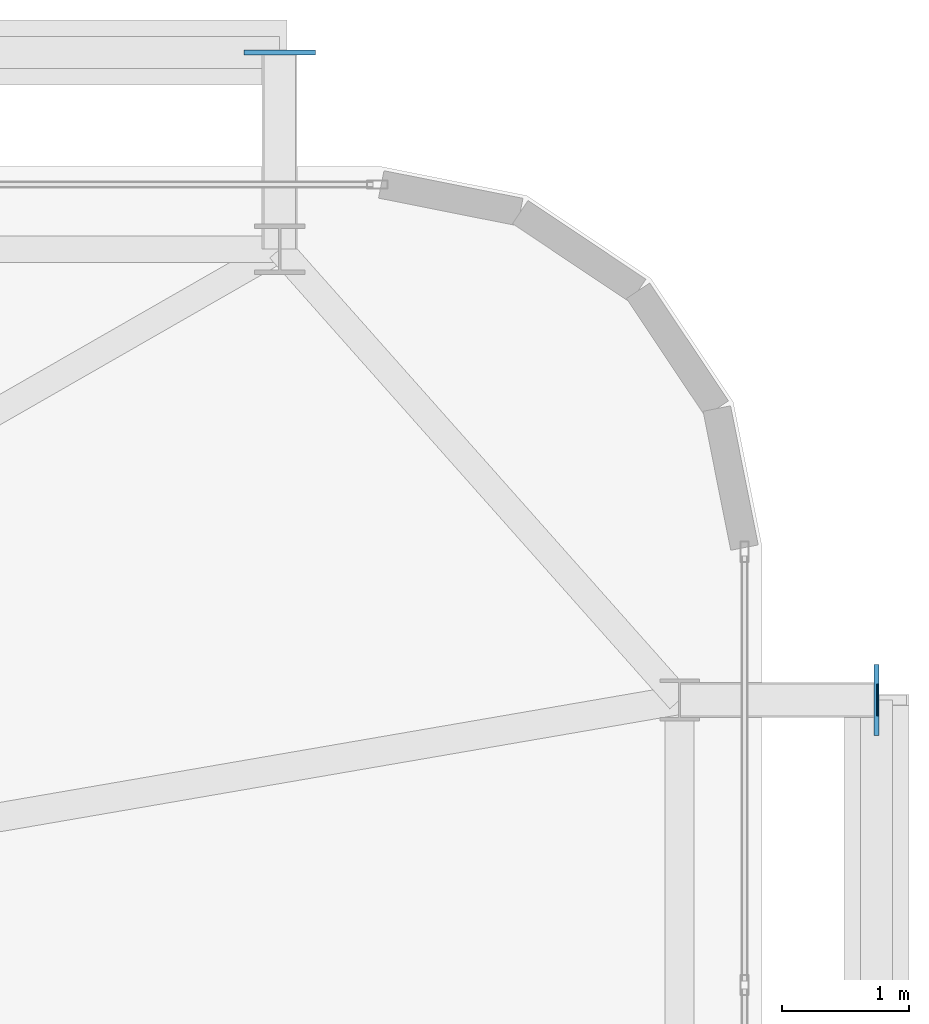
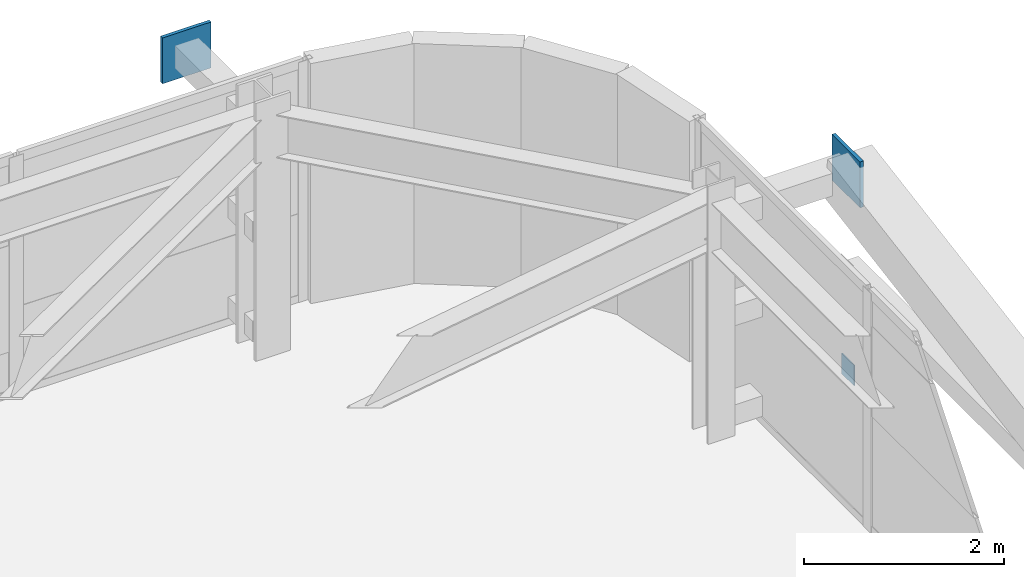
# One storey, part 51 of 59: 3 plates.
"""IFC4 building model written with IfcOpenShell, lengths in metres."""

from ifc_helpers import new_model, si_unit, direction, frame, origin, origin_2d, place, context, subcontext, project, spatial, rectangle, extrude, source, transform, mapped, material, layer, layer_set, type_object, element, save


model = new_model("IFC4")

# Units and contexts
model_context = context("Model", 3, precision=1e-05, world=origin(), true_north=direction((0.0, 1.0)))
body_context = subcontext(model_context, "Body", "Model", "MODEL_VIEW")
ifc_project = project(units=[si_unit("LENGTHUNIT", "METRE"), si_unit("AREAUNIT", "SQUARE_METRE"), si_unit("VOLUMEUNIT", "CUBIC_METRE"), si_unit("PLANEANGLEUNIT", "RADIAN"), si_unit("MASSUNIT", "GRAM", prefix="KILO")], contexts=[model_context])

# Site, building, storey
site_placement = place(None, origin())
site = spatial("IfcSite", under=ifc_project, at=site_placement, CompositionType="ELEMENT")
building_placement = place(site_placement, origin())
building = spatial("IfcBuilding", under=site, at=building_placement, Name="Taldren Reach Tower", CompositionType="ELEMENT")
storey_placement = place(building_placement, frame((0.0, 0.0, 45.14990234375)))
storey = spatial("IfcBuildingStorey", under=building, at=storey_placement, Name="L13", CompositionType="ELEMENT", Elevation=45.14990234375)

# Plates
ifc_material_1 = material(Name="Steel Gr 450 (C450L0)", Category="steel")
ifc_layer_1 = layer(ifc_material_1, 0.0400390625)
ifc_layer_set_1 = layer_set([ifc_layer_1], Name="Steel Gr 450 (C450L0)")
plate_type_1 = type_object("IfcPlateType", Name="PL-GUSSET-40", PredefinedType="SHEET", material=ifc_layer_set_1)
shared_shape_1 = source(origin(), body_context, "Body", "SweptSolid", [
    extrude(rectangle(XDim=0.56005859375, YDim=0.0400390625, at=origin_2d()), origin(), (0.0, 0.0, 1.0), 0.56005859375),
])
for number, where, z_axis, x_axis, name in (
    (1, (61.199951171875, 39.39990234375, 2.3701171875), (0.0, 0.0, 1.0), (1.0, 0.0, 0.0), "Exoskeleton star-node gusset plate B1-N6 L13"),
    (2, (65.89990234375, 34.300048828125, 2.3701171875), (0.0, 0.0, 1.0), (0.0, 1.0, 0.0), "Exoskeleton star-node gusset plate B1-E3 L13"),
):
    element("IfcPlate", number, at=place(storey_placement, frame(where, z_axis=z_axis, x_axis=x_axis)), inside=storey, type_object=plate_type_1, Name=name, PredefinedType="SHEET", context=body_context, shape_type="MappedRepresentation", body=[
        mapped(shared_shape_1, transform((0.0, 0.0, 0.0), scale=1.0)),
    ])
ifc_material_2 = material(Name="Steel Gr 350 (C350L0)", Category="steel")
ifc_layer_2 = layer(ifc_material_2, 0.011962890625)
ifc_layer_set_2 = layer_set([ifc_layer_2], Name="Steel Gr 350 (C350L0)")
plate_type_2 = type_object("IfcPlateType", Name="PL-CAP-250", PredefinedType="SHEET", material=ifc_layer_set_2)
shared_shape_2 = source(origin(), body_context, "Body", "SweptSolid", [
    extrude(rectangle(XDim=0.011962890625, YDim=0.25, at=origin_2d()), origin(), (0.0, 0.0, 1.0), 0.25),
])
plate_placement = place(storey_placement, frame((65.906005859375, 34.300048828125, 0.09521484375), z_axis=(0.0, 0.0, 1.0), x_axis=(1.0, 0.0, 0.0)))
element("IfcPlate", 3, at=plate_placement, inside=storey, type_object=plate_type_2, Name="Tie strut end cap plate B1-E3 L13", PredefinedType="SHEET", context=body_context, shape_type="MappedRepresentation", body=[
    mapped(shared_shape_2, transform((0.0, 0.0, 0.0), scale=1.0)),
])

save(model, "model.ifc")
